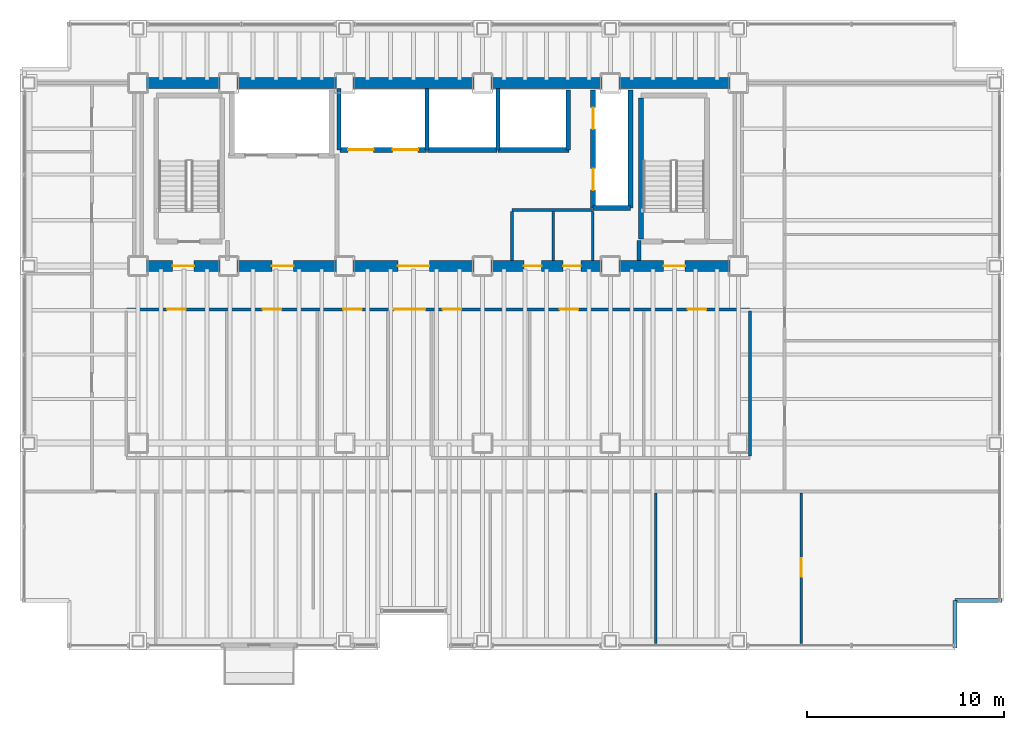
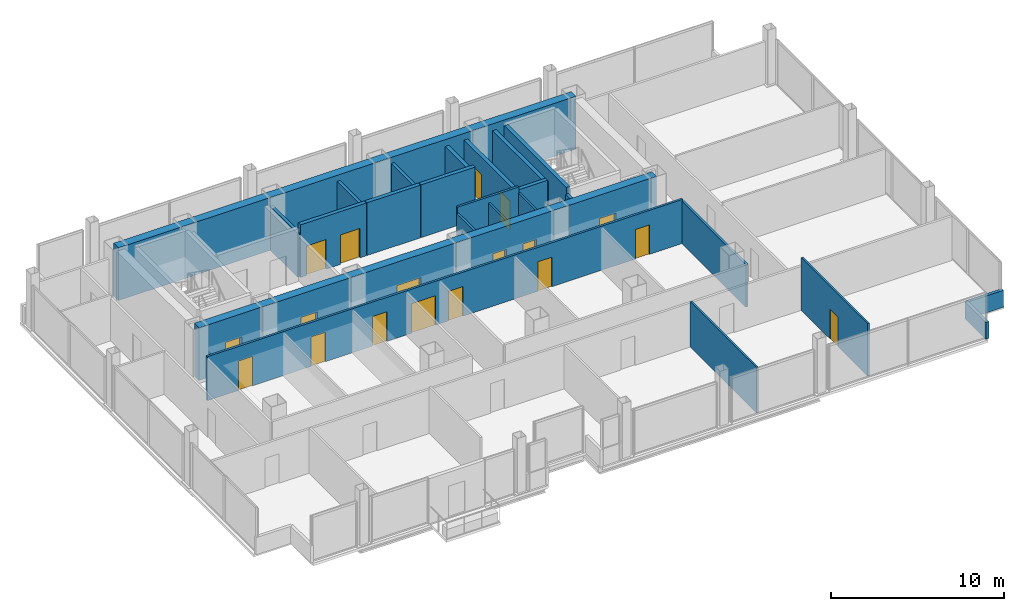
# One storey, part 19 of 21: 24 walls, 18 doors, 18 openings.
"""IFC4 building model written with IfcOpenShell, lengths in metres."""

from ifc_helpers import new_model, si_unit, direction, frame, frame_2d, origin, place, context, subcontext, project, spatial, rectangle, extrude, material, layer, layer_set, type_object, element, fill, save


model = new_model("IFC4")

# Units and contexts
model_context = context("Model", 3, precision=1e-05, world=origin(), true_north=direction((0.0, 1.0)))
body_context = subcontext(model_context, "Body", "Model", "MODEL_VIEW")
ifc_project = project(units=[si_unit("LENGTHUNIT", "METRE"), si_unit("AREAUNIT", "SQUARE_METRE"), si_unit("VOLUMEUNIT", "CUBIC_METRE"), si_unit("PLANEANGLEUNIT", "RADIAN"), si_unit("MASSUNIT", "GRAM", prefix="KILO")], contexts=[model_context])

# Site, building, storey
site_placement = place(None, origin())
site = spatial("IfcSite", under=ifc_project, at=site_placement, CompositionType="ELEMENT")
building_placement = place(site_placement, origin())
building = spatial("IfcBuilding", under=site, at=building_placement, Name="Noeulbin Bourse Tower", CompositionType="ELEMENT")
storey_placement = place(building_placement, frame((0.0, 0.0, 92.800048828125)))
storey = spatial("IfcBuildingStorey", under=building, at=storey_placement, Name="L23", CompositionType="ELEMENT", Elevation=92.800048828125)

# Wall, openings, doors
ifc_material_1 = material(Name="Concrete C60/75", Category="concrete")
ifc_layer_1 = layer(ifc_material_1, 0.550048828125)
ifc_layer_set_1 = layer_set([ifc_layer_1], Name="Concrete C60/75")
wall_type_1 = type_object("IfcWallType", Name="WAL-CORE-550", PredefinedType="SHEAR", material=ifc_layer_set_1)
wall_1_placement = place(storey_placement, frame((13.5, 29.0, 0.0), z_axis=(0.0, 0.0, 1.0), x_axis=(1.0, 0.0, 0.0)))
wall_1 = element("IfcWall", 1, at=wall_1_placement, inside=storey, type_object=wall_type_1, Name="Rear Core South Shear Wall L23", PredefinedType="SHEAR", context=body_context, shape_type="SweptSolid", body=[
    extrude(rectangle(XDim=30.5, YDim=0.550048828125, at=frame_2d((15.25, 0.0))), origin(), (0.0, 0.0, 1.0), 3.719970703125),
])
opening_1_placement = place(wall_1_placement, frame((1.75, 0.0, 0.0)))
opening_1 = element("IfcOpeningElement", 2, at=opening_1_placement, cuts=wall_1, Name="Opening FD-11", PredefinedType="OPENING", context=body_context, shape_type="SweptSolid", body=[
    extrude(rectangle(XDim=1.10009765625, YDim=2.080078125, at=frame_2d((0.550048828125, 1.0400390625))), frame((0.0, 0.284912109375, 0.0), z_axis=(0.0, -1.0, 0.0), x_axis=(1.0, 0.0, 0.0)), (0.0, 0.0, 1.0), 0.570068359375),
])
opening_2_placement = place(wall_1_placement, frame((26.699951171875, 0.0, 0.0)))
opening_2 = element("IfcOpeningElement", 3, at=opening_2_placement, cuts=wall_1, Name="Opening FD-11", PredefinedType="OPENING", context=body_context, shape_type="SweptSolid", body=[
    extrude(rectangle(XDim=1.10009765625, YDim=2.080078125, at=frame_2d((0.550048828125, 1.0400390625))), frame((0.0, 0.284912109375, 0.0), z_axis=(0.0, -1.0, 0.0), x_axis=(1.0, 0.0, 0.0)), (0.0, 0.0, 1.0), 0.570068359375),
])
opening_3_placement = place(wall_1_placement, frame((6.800048828125, 0.0, 0.0)))
opening_3 = element("IfcOpeningElement", 4, at=opening_3_placement, cuts=wall_1, Name="Opening FD-11", PredefinedType="OPENING", context=body_context, shape_type="SweptSolid", body=[
    extrude(rectangle(XDim=1.10009765625, YDim=2.080078125, at=frame_2d((0.550048828125, 1.0400390625))), frame((0.0, 0.284912109375, 0.0), z_axis=(0.0, -1.0, 0.0), x_axis=(1.0, 0.0, 0.0)), (0.0, 0.0, 1.0), 0.570068359375),
])
opening_4_placement = place(wall_1_placement, frame((13.199951171875, 0.0, 0.0)))
opening_4 = element("IfcOpeningElement", 5, at=opening_4_placement, cuts=wall_1, Name="Opening ID-16", PredefinedType="OPENING", context=body_context, shape_type="SweptSolid", body=[
    extrude(rectangle(XDim=1.60009765625, YDim=2.080078125, at=frame_2d((0.800048828125, 1.0400390625))), frame((0.0, 0.284912109375, 0.0), z_axis=(0.0, -1.0, 0.0), x_axis=(1.0, 0.0, 0.0)), (0.0, 0.0, 1.0), 0.570068359375),
])
opening_5_placement = place(wall_1_placement, frame((19.60009765625, 0.0, 0.0)))
opening_5 = element("IfcOpeningElement", 6, at=opening_5_placement, cuts=wall_1, Name="Opening FD-09", PredefinedType="OPENING", context=body_context, shape_type="SweptSolid", body=[
    extrude(rectangle(XDim=0.89990234375, YDim=2.080078125, at=frame_2d((0.449951171875, 1.0400390625))), frame((0.0, 0.284912109375, 0.0), z_axis=(0.0, -1.0, 0.0), x_axis=(1.0, 0.0, 0.0)), (0.0, 0.0, 1.0), 0.570068359375),
])
opening_6_placement = place(wall_1_placement, frame((21.60009765625, 0.0, 0.0)))
opening_6 = element("IfcOpeningElement", 7, at=opening_6_placement, cuts=wall_1, Name="Opening FD-09", PredefinedType="OPENING", context=body_context, shape_type="SweptSolid", body=[
    extrude(rectangle(XDim=0.89990234375, YDim=2.080078125, at=frame_2d((0.449951171875, 1.0400390625))), frame((0.0, 0.284912109375, 0.0), z_axis=(0.0, -1.0, 0.0), x_axis=(1.0, 0.0, 0.0)), (0.0, 0.0, 1.0), 0.570068359375),
])
ifc_material_2 = material(Name="Acoustic Glazed Aluminium", Category="aluminium")
door_type_1 = type_object("IfcDoorType", Name="DR-DBL-1600", OperationType="DOUBLE_DOOR_SINGLE_SWING", PredefinedType="DOOR", material=ifc_material_2)
door_1_placement = place(opening_4_placement, origin())
door_1 = element("IfcDoor", 8, at=door_1_placement, inside=storey, type_object=door_type_1, Name="Passenger Lift Lobby Portal L23", OperationType="DOUBLE_DOOR_SINGLE_SWING", OverallHeight=2.080078125, OverallWidth=1.60009765625, PredefinedType="DOOR", context=body_context, shape_type="SweptSolid", body=[
    extrude(rectangle(XDim=1.60009765625, YDim=2.080078125, at=frame_2d((0.800048828125, 1.0400390625))), frame((0.0, 0.02490234375, 0.0), z_axis=(0.0, -1.0, 0.0), x_axis=(1.0, 0.0, 0.0)), (0.0, 0.0, 1.0), 0.050048828125),
])
fill(opening_4, door_1)
ifc_material_3 = material(Name="Fire-Rated Timber Core", Category="wood")
door_type_2 = type_object("IfcDoorType", Name="DR-FD30-900", OperationType="SINGLE_SWING_RIGHT", PredefinedType="DOOR", material=ifc_material_3)
door_2_placement = place(opening_5_placement, origin())
door_2 = element("IfcDoor", 9, at=door_2_placement, inside=storey, type_object=door_type_2, Name="Interior Door L23-05", OperationType="SINGLE_SWING_LEFT", OverallHeight=2.080078125, OverallWidth=0.89990234375, PredefinedType="DOOR", context=body_context, shape_type="SweptSolid", body=[
    extrude(rectangle(XDim=0.89990234375, YDim=2.080078125, at=frame_2d((0.449951171875, 1.0400390625))), frame((0.0, 0.02490234375, 0.0), z_axis=(0.0, -1.0, 0.0), x_axis=(1.0, 0.0, 0.0)), (0.0, 0.0, 1.0), 0.050048828125),
])
fill(opening_5, door_2)
door_3_placement = place(opening_6_placement, origin())
door_3 = element("IfcDoor", 10, at=door_3_placement, inside=storey, type_object=door_type_2, Name="Interior Door L23-06", OperationType="SINGLE_SWING_RIGHT", OverallHeight=2.080078125, OverallWidth=0.89990234375, PredefinedType="DOOR", context=body_context, shape_type="SweptSolid", body=[
    extrude(rectangle(XDim=0.89990234375, YDim=2.080078125, at=frame_2d((0.449951171875, 1.0400390625))), frame((0.0, 0.02490234375, 0.0), z_axis=(0.0, -1.0, 0.0), x_axis=(1.0, 0.0, 0.0)), (0.0, 0.0, 1.0), 0.050048828125),
])
fill(opening_6, door_3)
ifc_material_4 = material(Name="Fire-Rated Insulated Steel", Category="steel")
door_type_3 = type_object("IfcDoorType", Name="DR-FD60-1100", OperationType="SINGLE_SWING_LEFT", PredefinedType="DOOR", material=ifc_material_4)
door_4_placement = place(opening_1_placement, origin())
door_4 = element("IfcDoor", 11, at=door_4_placement, inside=storey, type_object=door_type_3, Name="West Stair Lobby Door L23", OperationType="SINGLE_SWING_LEFT", OverallHeight=2.080078125, OverallWidth=1.10009765625, PredefinedType="DOOR", context=body_context, shape_type="SweptSolid", body=[
    extrude(rectangle(XDim=1.10009765625, YDim=2.080078125, at=frame_2d((0.550048828125, 1.0400390625))), frame((0.0, 0.02490234375, 0.0), z_axis=(0.0, -1.0, 0.0), x_axis=(1.0, 0.0, 0.0)), (0.0, 0.0, 1.0), 0.050048828125),
])
fill(opening_1, door_4)
door_5_placement = place(opening_2_placement, origin())
door_5 = element("IfcDoor", 12, at=door_5_placement, inside=storey, type_object=door_type_3, Name="East Stair Lobby Door L23", OperationType="SINGLE_SWING_RIGHT", OverallHeight=2.080078125, OverallWidth=1.10009765625, PredefinedType="DOOR", context=body_context, shape_type="SweptSolid", body=[
    extrude(rectangle(XDim=1.10009765625, YDim=2.080078125, at=frame_2d((0.550048828125, 1.0400390625))), frame((0.0, 0.02490234375, 0.0), z_axis=(0.0, -1.0, 0.0), x_axis=(1.0, 0.0, 0.0)), (0.0, 0.0, 1.0), 0.050048828125),
])
fill(opening_2, door_5)
door_6_placement = place(opening_3_placement, origin())
door_6 = element("IfcDoor", 13, at=door_6_placement, inside=storey, type_object=door_type_3, Name="Firefighting Lobby Door L23", OperationType="SINGLE_SWING_LEFT", OverallHeight=2.080078125, OverallWidth=1.10009765625, PredefinedType="DOOR", context=body_context, shape_type="SweptSolid", body=[
    extrude(rectangle(XDim=1.10009765625, YDim=2.080078125, at=frame_2d((0.550048828125, 1.0400390625))), frame((0.0, 0.02490234375, 0.0), z_axis=(0.0, -1.0, 0.0), x_axis=(1.0, 0.0, 0.0)), (0.0, 0.0, 1.0), 0.050048828125),
])
fill(opening_3, door_6)

# Walls
wall_2_placement = place(storey_placement, frame((13.5, 38.300048828125, 0.0), z_axis=(0.0, 0.0, 1.0), x_axis=(1.0, 0.0, 0.0)))
element("IfcWall", 14, at=wall_2_placement, inside=storey, type_object=wall_type_1, Name="Rear Core North Shear Wall L23", PredefinedType="SHEAR", context=body_context, shape_type="SweptSolid", body=[
    extrude(rectangle(XDim=30.5, YDim=0.550048828125, at=frame_2d((15.25, 0.0))), origin(), (0.0, 0.0, 1.0), 3.719970703125),
])
ifc_material_5 = material(Name="Concrete C40/50", Category="concrete")
ifc_layer_2 = layer(ifc_material_5, 0.199951171875)
ifc_layer_set_2 = layer_set([ifc_layer_2], Name="Concrete C40/50")
wall_type_2 = type_object("IfcWallType", Name="WAL-FIRE-200", PredefinedType="STANDARD", material=ifc_layer_set_2)
wall_3_placement = place(storey_placement, frame((38.949951171875, 29.284912109375, 0.0), z_axis=(0.0, 0.0, 1.0), x_axis=(0.0, 1.0, 0.0)))
element("IfcWall", 15, at=wall_3_placement, inside=storey, type_object=wall_type_2, Name="Interior Partition Wall L23-14", PredefinedType="STANDARD", context=body_context, shape_type="SweptSolid", body=[
    extrude(rectangle(XDim=1.01513671875, YDim=0.199951171875, at=frame_2d((0.507568359375, 0.0))), origin(), (0.0, 0.0, 1.0), 3.300048828125),
])
ifc_layer_3 = layer(ifc_material_5, 0.199951171875)
ifc_layer_set_3 = layer_set([ifc_layer_3], Name="Concrete C40/50")
wall_type_3 = type_object("IfcWallType", Name="WAL-PAR-200", PredefinedType="PARAPET", material=ifc_layer_set_3)
for number, where, z_axis, x_axis, name in (
    (16, (55.0, 9.60009765625, 0.0), (0.0, 0.0, 1.0), (0.0, 1.0, 0.0), "Corner Notch Parapet L23-SE1"),
    (17, (55.0, 12.0, 0.0), (0.0, 0.0, 1.0), (1.0, 0.0, 0.0), "Corner Notch Parapet L23-SE2"),
):
    element("IfcWall", number, at=place(storey_placement, frame(where, z_axis=z_axis, x_axis=x_axis)), inside=storey, type_object=wall_type_3, Name=name, PredefinedType="PARAPET", context=body_context, shape_type="SweptSolid", body=[
        extrude(rectangle(XDim=2.39990234375, YDim=0.199951171875, at=frame_2d((1.199951171875, 0.0))), origin(), (0.0, 0.0, 1.0), 1.199951171875),
    ])
ifc_material_6 = material(Name="Steel Stud Gypsum Partition", Category="steel")
ifc_layer_4 = layer(ifc_material_6, 0.1201171875)
ifc_layer_set_4 = layer_set([ifc_layer_4], Name="Steel Stud Gypsum Partition")
wall_type_4 = type_object("IfcWallType", Name="WAL-PRT-120", PredefinedType="PARTITIONING", material=ifc_layer_set_4)
for number, where, z_axis, x_axis, name in (
    (18, (36.60009765625, 29.284912109375, 0.0), (0.0, 0.0, 1.0), (0.0, 1.0, 0.0), "Interior Partition Wall L23-17"),
    (19, (34.60009765625, 29.284912109375, 0.0), (0.0, 0.0, 1.0), (0.0, 1.0, 0.0), "Interior Partition Wall L23-18"),
):
    element("IfcWall", number, at=place(storey_placement, frame(where, z_axis=z_axis, x_axis=x_axis)), inside=storey, type_object=wall_type_4, Name=name, PredefinedType="PARTITIONING", context=body_context, shape_type="SweptSolid", body=[
        extrude(rectangle(XDim=2.47998046875, YDim=0.1201171875, at=frame_2d((1.239990234375, 0.0))), origin(), (0.0, 0.0, 1.0), 3.300048828125),
    ])
wall_4_placement = place(storey_placement, frame((39.800048828125, 9.81005859375, 0.0), z_axis=(0.0, 0.0, 1.0), x_axis=(0.0, 1.0, 0.0)))
element("IfcWall", 20, at=wall_4_placement, inside=storey, type_object=wall_type_4, Name="Interior Partition Wall L23-28", PredefinedType="PARTITIONING", context=body_context, shape_type="SweptSolid", body=[
    extrude(rectangle(XDim=7.655029296875, YDim=0.1201171875, at=frame_2d((3.82763671875, 0.0))), origin(), (0.0, 0.0, 1.0), 3.2119140625),
])

# Wall, opening, door
wall_5_placement = place(storey_placement, frame((47.199951171875, 9.81005859375, 0.0), z_axis=(0.0, 0.0, 1.0), x_axis=(0.0, 1.0, 0.0)))
wall_5 = element("IfcWall", 21, at=wall_5_placement, inside=storey, type_object=wall_type_4, Name="Interior Partition Wall L23-29", PredefinedType="PARTITIONING", context=body_context, shape_type="SweptSolid", body=[
    extrude(rectangle(XDim=7.655029296875, YDim=0.1201171875, at=frame_2d((3.82763671875, 0.0))), origin(), (0.0, 0.0, 1.0), 3.719970703125),
])
opening_7_placement = place(wall_5_placement, frame((3.39501953125, 0.0, 0.0)))
opening_7 = element("IfcOpeningElement", 22, at=opening_7_placement, cuts=wall_5, Name="Opening ID-09", PredefinedType="OPENING", context=body_context, shape_type="SweptSolid", body=[
    extrude(rectangle(XDim=0.949951171875, YDim=2.080078125, at=frame_2d((0.47509765625, 1.0400390625))), frame((0.0, 0.070068359375, 0.0), z_axis=(0.0, -1.0, 0.0), x_axis=(1.0, 0.0, 0.0)), (0.0, 0.0, 1.0), 0.14013671875),
])
ifc_material_7 = material(Name="Acoustic Solid-Core Timber", Category="wood")
door_type_4 = type_object("IfcDoorType", Name="DR-SINGLE-950", OperationType="SINGLE_SWING_LEFT", PredefinedType="DOOR", material=ifc_material_7)
door_7_placement = place(opening_7_placement, origin())
door_7 = element("IfcDoor", 23, at=door_7_placement, inside=storey, type_object=door_type_4, Name="Interior Door L23-13", OperationType="SINGLE_SWING_LEFT", OverallHeight=2.080078125, OverallWidth=0.949951171875, PredefinedType="DOOR", context=body_context, shape_type="SweptSolid", body=[
    extrude(rectangle(XDim=0.949951171875, YDim=2.080078125, at=frame_2d((0.47509765625, 1.0400390625))), frame((0.0, 0.02490234375, 0.0), z_axis=(0.0, -1.0, 0.0), x_axis=(1.0, 0.0, 0.0)), (0.0, 0.0, 1.0), 0.050048828125),
])
fill(opening_7, door_7)

# Wall
ifc_material_8 = material(Name="Steel Stud Acoustic Gypsum Board", Category="steel")
ifc_layer_5 = layer(ifc_material_8, 0.14990234375)
ifc_layer_set_5 = layer_set([ifc_layer_5], Name="Steel Stud Acoustic Gypsum Board")
wall_type_5 = type_object("IfcWallType", Name="WAL-PRT-150", PredefinedType="PARTITIONING", material=ifc_layer_set_5)
wall_6_placement = place(storey_placement, frame((32.5, 31.85009765625, 0.0), z_axis=(0.0, 0.0, 1.0), x_axis=(1.0, 0.0, 0.0)))
element("IfcWall", 24, at=wall_6_placement, inside=storey, type_object=wall_type_5, Name="Interior Partition Wall L23-02", PredefinedType="PARTITIONING", context=body_context, shape_type="SweptSolid", body=[
    extrude(rectangle(XDim=4.10009765625, YDim=0.14990234375, at=frame_2d((2.050048828125, 0.0))), origin(), (0.0, 0.0, 1.0), 3.719970703125),
])

# Wall, openings, doors
wall_7_placement = place(storey_placement, frame((12.89990234375, 26.800048828125, 0.0), z_axis=(0.0, 0.0, 1.0), x_axis=(1.0, 0.0, 0.0)))
wall_7 = element("IfcWall", 25, at=wall_7_placement, inside=storey, type_object=wall_type_5, Name="Interior Partition Wall L23-03", PredefinedType="PARTITIONING", context=body_context, shape_type="SweptSolid", body=[
    extrude(rectangle(XDim=31.7001953125, YDim=0.14990234375, at=frame_2d((15.85009765625, 0.0))), origin(), (0.0, 0.0, 1.0), 3.099853515625),
])
opening_8_placement = place(wall_7_placement, frame((13.60009765625, 0.0, 0.0)))
opening_8 = element("IfcOpeningElement", 26, at=opening_8_placement, cuts=wall_7, Name="Opening ID-16", PredefinedType="OPENING", context=body_context, shape_type="SweptSolid", body=[
    extrude(rectangle(XDim=1.60009765625, YDim=2.080078125, at=frame_2d((0.800048828125, 1.0400390625))), frame((0.0, 0.0849609375, 0.0), z_axis=(0.0, -1.0, 0.0), x_axis=(1.0, 0.0, 0.0)), (0.0, 0.0, 1.0), 0.169921875),
])
opening_9_placement = place(wall_7_placement, frame((2.074951171875, 0.0, 0.0)))
opening_9 = element("IfcOpeningElement", 27, at=opening_9_placement, cuts=wall_7, Name="Opening ID-09", PredefinedType="OPENING", context=body_context, shape_type="SweptSolid", body=[
    extrude(rectangle(XDim=0.949951171875, YDim=2.080078125, at=frame_2d((0.47509765625, 1.0400390625))), frame((0.0, 0.0849609375, 0.0), z_axis=(0.0, -1.0, 0.0), x_axis=(1.0, 0.0, 0.0)), (0.0, 0.0, 1.0), 0.169921875),
])
opening_10_placement = place(wall_7_placement, frame((6.925048828125, 0.0, 0.0)))
opening_10 = element("IfcOpeningElement", 28, at=opening_10_placement, cuts=wall_7, Name="Opening ID-09", PredefinedType="OPENING", context=body_context, shape_type="SweptSolid", body=[
    extrude(rectangle(XDim=0.949951171875, YDim=2.080078125, at=frame_2d((0.47509765625, 1.0400390625))), frame((0.0, 0.0849609375, 0.0), z_axis=(0.0, -1.0, 0.0), x_axis=(1.0, 0.0, 0.0)), (0.0, 0.0, 1.0), 0.169921875),
])
opening_11_placement = place(wall_7_placement, frame((11.02490234375, 0.0, 0.0)))
opening_11 = element("IfcOpeningElement", 29, at=opening_11_placement, cuts=wall_7, Name="Opening ID-09", PredefinedType="OPENING", context=body_context, shape_type="SweptSolid", body=[
    extrude(rectangle(XDim=0.949951171875, YDim=2.080078125, at=frame_2d((0.47509765625, 1.0400390625))), frame((0.0, 0.0849609375, 0.0), z_axis=(0.0, -1.0, 0.0), x_axis=(1.0, 0.0, 0.0)), (0.0, 0.0, 1.0), 0.169921875),
])
opening_12_placement = place(wall_7_placement, frame((16.074951171875, 0.0, 0.0)))
opening_12 = element("IfcOpeningElement", 30, at=opening_12_placement, cuts=wall_7, Name="Opening ID-09", PredefinedType="OPENING", context=body_context, shape_type="SweptSolid", body=[
    extrude(rectangle(XDim=0.949951171875, YDim=2.080078125, at=frame_2d((0.47509765625, 1.0400390625))), frame((0.0, 0.0849609375, 0.0), z_axis=(0.0, -1.0, 0.0), x_axis=(1.0, 0.0, 0.0)), (0.0, 0.0, 1.0), 0.169921875),
])
opening_13_placement = place(wall_7_placement, frame((22.02490234375, 0.0, 0.0)))
opening_13 = element("IfcOpeningElement", 31, at=opening_13_placement, cuts=wall_7, Name="Opening ID-09", PredefinedType="OPENING", context=body_context, shape_type="SweptSolid", body=[
    extrude(rectangle(XDim=0.949951171875, YDim=2.080078125, at=frame_2d((0.47509765625, 1.0400390625))), frame((0.0, 0.0849609375, 0.0), z_axis=(0.0, -1.0, 0.0), x_axis=(1.0, 0.0, 0.0)), (0.0, 0.0, 1.0), 0.169921875),
])
opening_14_placement = place(wall_7_placement, frame((28.52490234375, 0.0, 0.0)))
opening_14 = element("IfcOpeningElement", 32, at=opening_14_placement, cuts=wall_7, Name="Opening ID-09", PredefinedType="OPENING", context=body_context, shape_type="SweptSolid", body=[
    extrude(rectangle(XDim=0.949951171875, YDim=2.080078125, at=frame_2d((0.47509765625, 1.0400390625))), frame((0.0, 0.0849609375, 0.0), z_axis=(0.0, -1.0, 0.0), x_axis=(1.0, 0.0, 0.0)), (0.0, 0.0, 1.0), 0.169921875),
])
door_8_placement = place(opening_8_placement, origin())
door_8 = element("IfcDoor", 33, at=door_8_placement, inside=storey, type_object=door_type_1, Name="Interior Door L23-07", OperationType="DOUBLE_DOOR_SINGLE_SWING", OverallHeight=2.080078125, OverallWidth=1.60009765625, PredefinedType="DOOR", context=body_context, shape_type="SweptSolid", body=[
    extrude(rectangle(XDim=1.60009765625, YDim=2.080078125, at=frame_2d((0.800048828125, 1.0400390625))), frame((0.0, 0.02490234375, 0.0), z_axis=(0.0, -1.0, 0.0), x_axis=(1.0, 0.0, 0.0)), (0.0, 0.0, 1.0), 0.050048828125),
])
fill(opening_8, door_8)
door_9_placement = place(opening_9_placement, origin())
door_9 = element("IfcDoor", 34, at=door_9_placement, inside=storey, type_object=door_type_4, Name="Interior Door L23-14", OperationType="SINGLE_SWING_RIGHT", OverallHeight=2.080078125, OverallWidth=0.949951171875, PredefinedType="DOOR", context=body_context, shape_type="SweptSolid", body=[
    extrude(rectangle(XDim=0.949951171875, YDim=2.080078125, at=frame_2d((0.47509765625, 1.0400390625))), frame((0.0, 0.02490234375, 0.0), z_axis=(0.0, -1.0, 0.0), x_axis=(1.0, 0.0, 0.0)), (0.0, 0.0, 1.0), 0.050048828125),
])
fill(opening_9, door_9)
door_10_placement = place(opening_10_placement, origin())
door_10 = element("IfcDoor", 35, at=door_10_placement, inside=storey, type_object=door_type_4, Name="Interior Door L23-15", OperationType="SINGLE_SWING_LEFT", OverallHeight=2.080078125, OverallWidth=0.949951171875, PredefinedType="DOOR", context=body_context, shape_type="SweptSolid", body=[
    extrude(rectangle(XDim=0.949951171875, YDim=2.080078125, at=frame_2d((0.47509765625, 1.0400390625))), frame((0.0, 0.02490234375, 0.0), z_axis=(0.0, -1.0, 0.0), x_axis=(1.0, 0.0, 0.0)), (0.0, 0.0, 1.0), 0.050048828125),
])
fill(opening_10, door_10)
door_11_placement = place(opening_11_placement, origin())
door_11 = element("IfcDoor", 36, at=door_11_placement, inside=storey, type_object=door_type_4, Name="Interior Door L23-16", OperationType="SINGLE_SWING_RIGHT", OverallHeight=2.080078125, OverallWidth=0.949951171875, PredefinedType="DOOR", context=body_context, shape_type="SweptSolid", body=[
    extrude(rectangle(XDim=0.949951171875, YDim=2.080078125, at=frame_2d((0.47509765625, 1.0400390625))), frame((0.0, 0.02490234375, 0.0), z_axis=(0.0, -1.0, 0.0), x_axis=(1.0, 0.0, 0.0)), (0.0, 0.0, 1.0), 0.050048828125),
])
fill(opening_11, door_11)
door_12_placement = place(opening_12_placement, origin())
door_12 = element("IfcDoor", 37, at=door_12_placement, inside=storey, type_object=door_type_4, Name="Interior Door L23-17", OperationType="SINGLE_SWING_LEFT", OverallHeight=2.080078125, OverallWidth=0.949951171875, PredefinedType="DOOR", context=body_context, shape_type="SweptSolid", body=[
    extrude(rectangle(XDim=0.949951171875, YDim=2.080078125, at=frame_2d((0.47509765625, 1.0400390625))), frame((0.0, 0.02490234375, 0.0), z_axis=(0.0, -1.0, 0.0), x_axis=(1.0, 0.0, 0.0)), (0.0, 0.0, 1.0), 0.050048828125),
])
fill(opening_12, door_12)
door_13_placement = place(opening_13_placement, origin())
door_13 = element("IfcDoor", 38, at=door_13_placement, inside=storey, type_object=door_type_4, Name="Interior Door L23-18", OperationType="SINGLE_SWING_RIGHT", OverallHeight=2.080078125, OverallWidth=0.949951171875, PredefinedType="DOOR", context=body_context, shape_type="SweptSolid", body=[
    extrude(rectangle(XDim=0.949951171875, YDim=2.080078125, at=frame_2d((0.47509765625, 1.0400390625))), frame((0.0, 0.02490234375, 0.0), z_axis=(0.0, -1.0, 0.0), x_axis=(1.0, 0.0, 0.0)), (0.0, 0.0, 1.0), 0.050048828125),
])
fill(opening_13, door_13)
door_14_placement = place(opening_14_placement, origin())
door_14 = element("IfcDoor", 39, at=door_14_placement, inside=storey, type_object=door_type_4, Name="Interior Door L23-19", OperationType="SINGLE_SWING_LEFT", OverallHeight=2.080078125, OverallWidth=0.949951171875, PredefinedType="DOOR", context=body_context, shape_type="SweptSolid", body=[
    extrude(rectangle(XDim=0.949951171875, YDim=2.080078125, at=frame_2d((0.47509765625, 1.0400390625))), frame((0.0, 0.02490234375, 0.0), z_axis=(0.0, -1.0, 0.0), x_axis=(1.0, 0.0, 0.0)), (0.0, 0.0, 1.0), 0.050048828125),
])
fill(opening_14, door_14)

# Walls
wall_8_placement = place(storey_placement, frame((32.5, 29.284912109375, 0.0), z_axis=(0.0, 0.0, 1.0), x_axis=(0.0, 1.0, 0.0)))
element("IfcWall", 40, at=wall_8_placement, inside=storey, type_object=wall_type_5, Name="Interior Partition Wall L23-16", PredefinedType="PARTITIONING", context=body_context, shape_type="SweptSolid", body=[
    extrude(rectangle(XDim=2.47998046875, YDim=0.14990234375, at=frame_2d((1.239990234375, 0.0))), origin(), (0.0, 0.0, 1.0), 3.300048828125),
])
wall_9_placement = place(storey_placement, frame((44.60009765625, 19.3349609375, 0.0), z_axis=(0.0, 0.0, 1.0), x_axis=(0.0, 1.0, 0.0)))
element("IfcWall", 41, at=wall_9_placement, inside=storey, type_object=wall_type_5, Name="Interior Partition Wall L23-24", PredefinedType="PARTITIONING", context=body_context, shape_type="SweptSolid", body=[
    extrude(rectangle(XDim=7.380126953125, YDim=0.14990234375, at=frame_2d((3.68994140625, 0.0))), origin(), (0.0, 0.0, 1.0), 3.0),
])
ifc_layer_6 = layer(ifc_material_5, 0.25)
ifc_layer_set_6 = layer_set([ifc_layer_6], Name="Concrete C40/50")
wall_type_6 = type_object("IfcWallType", Name="WAL-SHFT-250", PredefinedType="STANDARD", material=ifc_layer_set_6)
wall_10_placement = place(storey_placement, frame((39.054931640625, 30.360107421875, 0.0), z_axis=(0.0, 0.0, 1.0), x_axis=(0.0, 1.0, 0.0)))
element("IfcWall", 42, at=wall_10_placement, inside=storey, type_object=wall_type_6, Name="Stair ST-2 West Shaft Wall L23", PredefinedType="STANDARD", context=body_context, shape_type="SweptSolid", body=[
    extrude(rectangle(XDim=7.183837890625, YDim=0.25, at=frame_2d((3.591796875, 0.0))), origin(), (0.0, 0.0, 1.0), 3.719970703125),
])

# Wall, openings, doors
wall_11_placement = place(storey_placement, frame((36.6201171875, 31.949951171875, 0.0), z_axis=(0.0, 0.0, 1.0), x_axis=(0.0, 1.0, 0.0)))
wall_11 = element("IfcWall", 43, at=wall_11_placement, inside=storey, type_object=wall_type_6, Name="Service Lift Shaft Wall L23", PredefinedType="STANDARD", context=body_context, shape_type="SweptSolid", body=[
    extrude(rectangle(XDim=6.0, YDim=0.25, at=frame_2d((3.0, 0.0))), origin(), (0.0, 0.0, 1.0), 3.300048828125),
])
opening_15_placement = place(wall_11_placement, frame((0.89990234375, 0.0, 0.0)))
opening_15 = element("IfcOpeningElement", 44, at=opening_15_placement, cuts=wall_11, Name="Opening LD-11", PredefinedType="OPENING", context=body_context, shape_type="SweptSolid", body=[
    extrude(rectangle(XDim=1.10009765625, YDim=2.080078125, at=frame_2d((0.550048828125, 1.0400390625))), frame((0.0, 0.135009765625, 0.0), z_axis=(0.0, -1.0, 0.0), x_axis=(1.0, 0.0, 0.0)), (0.0, 0.0, 1.0), 0.27001953125),
])
opening_16_placement = place(wall_11_placement, frame((4.0, 0.0, 0.0)))
opening_16 = element("IfcOpeningElement", 45, at=opening_16_placement, cuts=wall_11, Name="Opening LD-11", PredefinedType="OPENING", context=body_context, shape_type="SweptSolid", body=[
    extrude(rectangle(XDim=1.10009765625, YDim=2.080078125, at=frame_2d((0.550048828125, 1.0400390625))), frame((0.0, 0.135009765625, 0.0), z_axis=(0.0, -1.0, 0.0), x_axis=(1.0, 0.0, 0.0)), (0.0, 0.0, 1.0), 0.27001953125),
])
ifc_material_9 = material(Name="Brushed Stainless Steel 316", Category="steel")
door_type_5 = type_object("IfcDoorType", Name="DR-LIFT-1100", OperationType="SLIDING_TO_LEFT", PredefinedType="DOOR", material=ifc_material_9)
door_15_placement = place(opening_15_placement, origin())
door_15 = element("IfcDoor", 46, at=door_15_placement, inside=storey, type_object=door_type_5, Name="Lift Landing Door LD-EL-01-L23", OperationType="SLIDING_TO_LEFT", OverallHeight=2.080078125, OverallWidth=1.10009765625, PredefinedType="DOOR", context=body_context, shape_type="SweptSolid", body=[
    extrude(rectangle(XDim=1.10009765625, YDim=2.080078125, at=frame_2d((0.550048828125, 1.0400390625))), frame((0.0, 0.02490234375, 0.0), z_axis=(0.0, -1.0, 0.0), x_axis=(1.0, 0.0, 0.0)), (0.0, 0.0, 1.0), 0.050048828125),
])
fill(opening_15, door_15)
door_16_placement = place(opening_16_placement, origin())
door_16 = element("IfcDoor", 47, at=door_16_placement, inside=storey, type_object=door_type_5, Name="Lift Landing Door LD-SV-01-L23", OperationType="SLIDING_TO_LEFT", OverallHeight=2.080078125, OverallWidth=1.10009765625, PredefinedType="DOOR", context=body_context, shape_type="SweptSolid", body=[
    extrude(rectangle(XDim=1.10009765625, YDim=2.080078125, at=frame_2d((0.550048828125, 1.0400390625))), frame((0.0, 0.02490234375, 0.0), z_axis=(0.0, -1.0, 0.0), x_axis=(1.0, 0.0, 0.0)), (0.0, 0.0, 1.0), 0.050048828125),
])
fill(opening_16, door_16)

# Walls
wall_12_placement = place(storey_placement, frame((38.52001953125, 31.949951171875, 0.0), z_axis=(0.0, 0.0, 1.0), x_axis=(0.0, 1.0, 0.0)))
element("IfcWall", 48, at=wall_12_placement, inside=storey, type_object=wall_type_6, Name="Service Lift East Shaft Wall L23", PredefinedType="STANDARD", context=body_context, shape_type="SweptSolid", body=[
    extrude(rectangle(XDim=6.0, YDim=0.25, at=frame_2d((3.0, 0.0))), origin(), (0.0, 0.0, 1.0), 3.300048828125),
])
wall_13_placement = place(storey_placement, frame((36.6201171875, 31.949951171875, 0.0), z_axis=(0.0, 0.0, 1.0), x_axis=(1.0, 0.0, 0.0)))
element("IfcWall", 49, at=wall_13_placement, inside=storey, type_object=wall_type_6, Name="Service Lift South Shaft Wall L23", PredefinedType="STANDARD", context=body_context, shape_type="SweptSolid", body=[
    extrude(rectangle(XDim=1.89990234375, YDim=0.25, at=frame_2d((0.949951171875, 0.0))), origin(), (0.0, 0.0, 1.0), 3.47998046875),
])
wall_14_placement = place(storey_placement, frame((35.360107421875, 34.89990234375, 0.0), z_axis=(0.0, 0.0, 1.0), x_axis=(0.0, 1.0, 0.0)))
element("IfcWall", 50, at=wall_14_placement, inside=storey, type_object=wall_type_6, Name="High-Rise Lift East Shaft Wall L23", PredefinedType="STANDARD", context=body_context, shape_type="SweptSolid", body=[
    extrude(rectangle(XDim=3.050048828125, YDim=0.25, at=frame_2d((1.52490234375, 0.0))), origin(), (0.0, 0.0, 1.0), 3.300048828125),
])

# Wall, openings, doors
wall_15_placement = place(storey_placement, frame((23.75, 34.89990234375, 0.0), z_axis=(0.0, 0.0, 1.0), x_axis=(1.0, 0.0, 0.0)))
wall_15 = element("IfcWall", 51, at=wall_15_placement, inside=storey, type_object=wall_type_6, Name="Low-Rise Lift Bank Front L23", PredefinedType="STANDARD", context=body_context, shape_type="SweptSolid", body=[
    extrude(rectangle(XDim=4.39990234375, YDim=0.25, at=frame_2d((2.199951171875, 0.0))), origin(), (0.0, 0.0, 1.0), 3.719970703125),
])
opening_17_placement = place(wall_15_placement, frame((0.419921875, 0.0, 0.0)))
opening_17 = element("IfcOpeningElement", 52, at=opening_17_placement, cuts=wall_15, Name="Opening LD-13", PredefinedType="OPENING", context=body_context, shape_type="SweptSolid", body=[
    extrude(rectangle(XDim=1.300048828125, YDim=2.080078125, at=frame_2d((0.64990234375, 1.0400390625))), frame((0.0, 0.135009765625, 0.0), z_axis=(0.0, -1.0, 0.0), x_axis=(1.0, 0.0, 0.0)), (0.0, 0.0, 1.0), 0.27001953125),
])
opening_18_placement = place(wall_15_placement, frame((2.679931640625, 0.0, 0.0)))
opening_18 = element("IfcOpeningElement", 53, at=opening_18_placement, cuts=wall_15, Name="Opening LD-13", PredefinedType="OPENING", context=body_context, shape_type="SweptSolid", body=[
    extrude(rectangle(XDim=1.300048828125, YDim=2.080078125, at=frame_2d((0.64990234375, 1.0400390625))), frame((0.0, 0.135009765625, 0.0), z_axis=(0.0, -1.0, 0.0), x_axis=(1.0, 0.0, 0.0)), (0.0, 0.0, 1.0), 0.27001953125),
])
door_type_6 = type_object("IfcDoorType", Name="DR-LIFT-1300", OperationType="DOUBLE_DOOR_SLIDING", PredefinedType="DOOR", material=ifc_material_9)
door_17_placement = place(opening_17_placement, origin())
door_17 = element("IfcDoor", 54, at=door_17_placement, inside=storey, type_object=door_type_6, Name="Lift Landing Door LD-PL-L1-L23", OperationType="DOUBLE_DOOR_SLIDING", OverallHeight=2.080078125, OverallWidth=1.300048828125, PredefinedType="DOOR", context=body_context, shape_type="SweptSolid", body=[
    extrude(rectangle(XDim=1.300048828125, YDim=2.080078125, at=frame_2d((0.64990234375, 1.0400390625))), frame((0.0, 0.02490234375, 0.0), z_axis=(0.0, -1.0, 0.0), x_axis=(1.0, 0.0, 0.0)), (0.0, 0.0, 1.0), 0.050048828125),
])
fill(opening_17, door_17)
door_18_placement = place(opening_18_placement, origin())
door_18 = element("IfcDoor", 55, at=door_18_placement, inside=storey, type_object=door_type_6, Name="Lift Landing Door LD-PL-L2-L23", OperationType="DOUBLE_DOOR_SLIDING", OverallHeight=2.080078125, OverallWidth=1.300048828125, PredefinedType="DOOR", context=body_context, shape_type="SweptSolid", body=[
    extrude(rectangle(XDim=1.300048828125, YDim=2.080078125, at=frame_2d((0.64990234375, 1.0400390625))), frame((0.0, 0.02490234375, 0.0), z_axis=(0.0, -1.0, 0.0), x_axis=(1.0, 0.0, 0.0)), (0.0, 0.0, 1.0), 0.050048828125),
])
fill(opening_18, door_18)

# Walls
wall_16_placement = place(storey_placement, frame((28.199951171875, 34.89990234375, 0.0), z_axis=(0.0, 0.0, 1.0), x_axis=(1.0, 0.0, 0.0)))
element("IfcWall", 56, at=wall_16_placement, inside=storey, type_object=wall_type_6, Name="Mid-Rise Lift Bank Front L23", PredefinedType="STANDARD", context=body_context, shape_type="SweptSolid", body=[
    extrude(rectangle(XDim=3.550048828125, YDim=0.25, at=frame_2d((1.77490234375, 0.0))), origin(), (0.0, 0.0, 1.0), 3.719970703125),
])
wall_17_placement = place(storey_placement, frame((31.800048828125, 34.89990234375, 0.0), z_axis=(0.0, 0.0, 1.0), x_axis=(1.0, 0.0, 0.0)))
element("IfcWall", 57, at=wall_17_placement, inside=storey, type_object=wall_type_6, Name="High-Rise Lift Bank Front L23", PredefinedType="STANDARD", context=body_context, shape_type="SweptSolid", body=[
    extrude(rectangle(XDim=3.599853515625, YDim=0.25, at=frame_2d((1.7998046875, 0.0))), origin(), (0.0, 0.0, 1.0), 3.719970703125),
])
wall_18_placement = place(storey_placement, frame((23.719970703125, 34.89990234375, 0.0), z_axis=(0.0, 0.0, 1.0), x_axis=(0.0, 1.0, 0.0)))
element("IfcWall", 58, at=wall_18_placement, inside=storey, type_object=wall_type_6, Name="Hoistway Side Shaft Wall L23-PLLW", PredefinedType="STANDARD", context=body_context, shape_type="SweptSolid", body=[
    extrude(rectangle(XDim=3.1201171875, YDim=0.199951171875, at=frame_2d((1.56005859375, 0.0))), origin(), (0.0, 0.0, 1.0), 3.099853515625),
])
for number, where, z_axis, x_axis, name in (
    (59, (28.179931640625, 34.89990234375, 0.0), (0.0, 0.0, 1.0), (0.0, 1.0, 0.0), "Hoistway Side Shaft Wall L23-PLMW"),
    (60, (31.780029296875, 34.89990234375, 0.0), (0.0, 0.0, 1.0), (0.0, 1.0, 0.0), "Hoistway Side Shaft Wall L23-PLHW"),
):
    element("IfcWall", number, at=place(storey_placement, frame(where, z_axis=z_axis, x_axis=x_axis)), inside=storey, type_object=wall_type_6, Name=name, PredefinedType="STANDARD", context=body_context, shape_type="SweptSolid", body=[
        extrude(rectangle(XDim=3.1201171875, YDim=0.199951171875, at=frame_2d((1.56005859375, 0.0))), origin(), (0.0, 0.0, 1.0), 3.300048828125),
    ])

save(model, "model.ifc")
